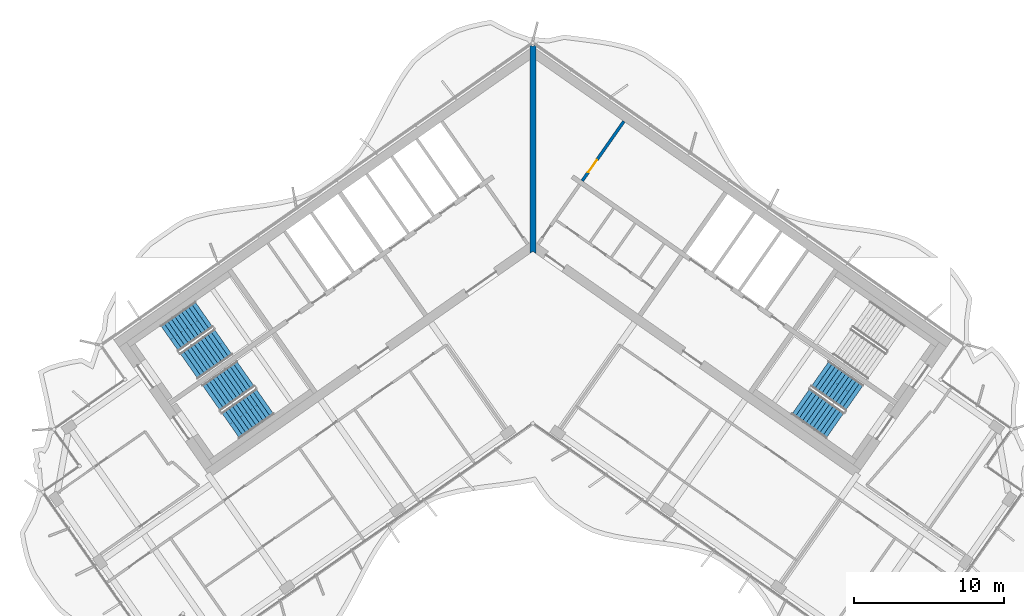
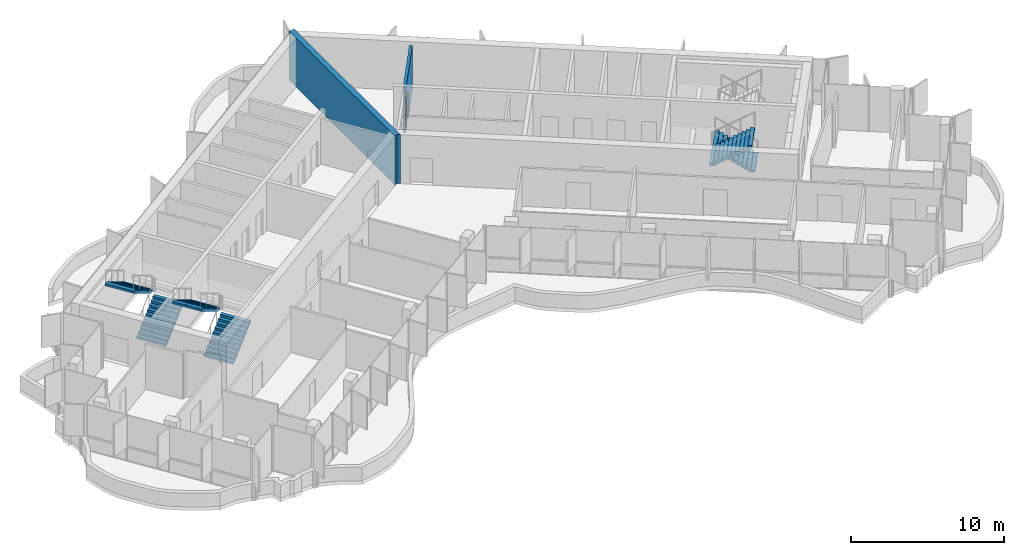
# One storey, part 14 of 20: 6 stair flights, 2 walls, 1 door, 1 opening, 3 elements without a shape of their own.
"""IFC4 building model written with IfcOpenShell, lengths in metres."""

from ifc_helpers import new_model, si_unit, direction, frame, frame_2d, origin, place, context, subcontext, project, spatial, polyline, rectangle, outline, extrude, material, layer, layer_set, type_object, element, fill, aggregate, save


model = new_model("IFC4")

# Units and contexts
model_context = context("Model", 3, precision=1e-05, world=origin(), true_north=direction((0.0, 1.0)))
body_context = subcontext(model_context, "Body", "Model", "MODEL_VIEW")
ifc_project = project(units=[si_unit("LENGTHUNIT", "METRE"), si_unit("AREAUNIT", "SQUARE_METRE"), si_unit("VOLUMEUNIT", "CUBIC_METRE"), si_unit("PLANEANGLEUNIT", "RADIAN"), si_unit("MASSUNIT", "GRAM", prefix="KILO")], contexts=[model_context])

# Site, building, storey
site_placement = place(None, origin())
site = spatial("IfcSite", under=ifc_project, at=site_placement, CompositionType="ELEMENT")
building_placement = place(site_placement, origin())
building = spatial("IfcBuilding", under=site, at=building_placement, Name="Tel Ilan Convention Tower", CompositionType="ELEMENT")
storey_placement = place(building_placement, frame((0.0, 0.0, 229.300048828125)))
storey = spatial("IfcBuildingStorey", under=building, at=storey_placement, Name="L53", CompositionType="ELEMENT", Elevation=229.300048828125)

# Wall, opening, door
ifc_material_1 = material(Name="Concrete C30/37", Category="concrete")
ifc_layer_1 = layer(ifc_material_1, 0.199951171875)
ifc_layer_set_1 = layer_set([ifc_layer_1], Name="Core Service Room Wall 200 mm C30/37")
wall_type_1 = type_object("IfcWallType", Name="Core Service Room Wall 200 mm C30/37", PredefinedType="SOLIDWALL", material=ifc_layer_set_1)
wall_1_placement = place(storey_placement, frame((3.2978515625, 3.489501953125, 0.0), z_axis=(0.0, 0.0, 1.0), x_axis=(0.573560315113, 0.819163332265, 0.0)))
wall_1 = element("IfcWall", 1, at=wall_1_placement, inside=storey, type_object=wall_type_1, Name="L53 core wall apex-E-b", PredefinedType="SOLIDWALL", context=body_context, shape_type="SweptSolid", body=[
    extrude(rectangle(XDim=4.849853515625, YDim=0.199951171875, at=frame_2d((2.4248046875, 0.0))), origin(), (0.0, 0.0, 1.0), 3.619873046875),
])
opening_placement = place(wall_1_placement, frame((0.699951171875, 0.0, 0.0)))
opening = element("IfcOpeningElement", 2, at=opening_placement, cuts=wall_1, Name="Opening CD4203", PredefinedType="OPENING", context=body_context, shape_type="SweptSolid", body=[
    extrude(rectangle(XDim=1.0, YDim=2.10009765625, at=frame_2d((0.5, 1.050048828125))), frame((0.0, 0.10986328125, 0.0), z_axis=(0.0, -1.0, 0.0), x_axis=(1.0, 0.0, 0.0)), (0.0, 0.0, 1.0), 0.219970703125),
])
ifc_material_2 = material(Name="Galvanised Steel Door Leaf", Category="steel")
door_type = type_object("IfcDoorType", Name="Service Room Door 1000 x 2100 FD60", OperationType="NOTDEFINED", PredefinedType="DOOR", material=ifc_material_2)
door_placement = place(opening_placement, origin())
door = element("IfcDoor", 3, at=door_placement, inside=storey, type_object=door_type, Name="Plant Room door", OperationType="SINGLE_SWING_RIGHT", OverallHeight=2.10009765625, OverallWidth=1.0, PredefinedType="DOOR", context=body_context, shape_type="SweptSolid", body=[
    extrude(rectangle(XDim=1.0, YDim=2.10009765625, at=frame_2d((0.5, 1.050048828125))), frame((0.0, 0.02490234375, 0.0), z_axis=(0.0, -1.0, 0.0), x_axis=(1.0, 0.0, 0.0)), (0.0, 0.0, 1.0), 0.050048828125),
])
fill(opening, door)

# Wall
ifc_material_3 = material(Name="Concrete C40/50", Category="concrete")
ifc_layer_2 = layer(ifc_material_3, 0.39990234375)
ifc_layer_set_2 = layer_set([ifc_layer_2], Name="Core Shear Wall 400 mm C40/50")
wall_type_2 = type_object("IfcWallType", Name="Core Shear Wall 400 mm C40/50", PredefinedType="SHEAR", material=ifc_layer_set_2)
wall_2_placement = place(storey_placement, frame((0.0, -1.36083984375, 0.0), z_axis=(0.0, 0.0, 1.0), x_axis=(0.0, 1.0, 0.0)))
element("IfcWall", 4, at=wall_2_placement, inside=storey, type_object=wall_type_2, Name="L53 core wall K-central", PredefinedType="SHEAR", context=body_context, shape_type="SweptSolid", body=[
    extrude(outline(polyline([(0.14013671875, 0.199951171875), (0.0, 0.199951171875), (0.14013671875, 0.0), (0.0, -0.199951171875), (0.14013671875, -0.199951171875), (1.012451171875, -0.199951171875), (12.940185546875, -0.199951171875), (13.812744140625, -0.199951171875), (13.893310546875, -0.199951171875), (13.933349609375, -0.172119140625), (13.812744140625, 0.0), (13.933349609375, 0.172119140625), (13.893310546875, 0.199951171875), (13.812744140625, 0.199951171875), (12.940185546875, 0.199951171875), (1.012451171875, 0.199951171875), (0.14013671875, 0.199951171875)])), origin(), (0.0, 0.0, 1.0), 3.89990234375),
])

# Stair, stair flights
ifc_material_4 = material(Name="Concrete C40/50", Category="concrete")
stair_type = type_object("IfcStairType", Name="Pressurised Exit Stair 22 risers 177 mm", PredefinedType="HALF_TURN_STAIR", material=ifc_material_4)
stair_1_placement = place(storey_placement, origin())
stair_1 = element("IfcStair", 5, at=stair_1_placement, inside=storey, type_object=stair_type, Name="L53 Pressurised Stair S1", PredefinedType="HALF_TURN_STAIR")
ifc_material_5 = material(Name="Precast Concrete C40/50", Category="concrete")
stair_flight_type = type_object("IfcStairFlightType", Name="Concrete Stair Flight 2100 mm 22 risers 177 mm", PredefinedType="STRAIGHT", material=ifc_material_5)
stair_flight_1_placement = place(storey_placement, frame((-22.9619140625, -8.87548828125, 0.0), z_axis=(0.0, 0.0, 1.0), x_axis=(0.819152044289, 0.573576436351, 0.0)))
stair_flight_1 = element("IfcStairFlight", 6, at=stair_flight_1_placement, type_object=stair_flight_type, Name="S1 flight 1", NumberOfRisers=11, NumberOfTreads=10, PredefinedType="STRAIGHT", RiserHeight=0.177272727, TreadLength=0.28, context=body_context, shape_type="SweptSolid", body=[
    extrude(outline(polyline([(0.0, 0.0), (0.0, 0.17724609375), (0.280029296875, 0.17724609375), (0.280029296875, 0.3544921875), (0.56005859375, 0.3544921875), (0.56005859375, 0.53173828125), (0.840087890625, 0.53173828125), (0.840087890625, 0.708984375), (1.1201171875, 0.708984375), (1.1201171875, 0.886474609375), (1.39990234375, 0.886474609375), (1.39990234375, 1.063720703125), (1.679931640625, 1.063720703125), (1.679931640625, 1.240966796875), (1.9599609375, 1.240966796875), (1.9599609375, 1.418212890625), (2.239990234375, 1.418212890625), (2.239990234375, 1.595458984375), (2.52001953125, 1.595458984375), (2.52001953125, 1.772705078125), (2.800048828125, 1.772705078125), (2.800048828125, 1.949951171875), (2.800048828125, 1.59521484375), (0.2802734375, 0.0), (0.0, 0.0)])), frame((0.0, -0.100341796875, 0.0), z_axis=(0.0, -1.0, 0.0), x_axis=(1.0, 0.0, 0.0)), (0.0, 0.0, 1.0), 0.94970703125),
    extrude(outline(polyline([(0.0, 0.0), (0.0, 0.17724609375), (0.280029296875, 0.17724609375), (0.280029296875, 0.3544921875), (0.56005859375, 0.3544921875), (0.56005859375, 0.53173828125), (0.840087890625, 0.53173828125), (0.840087890625, 0.708984375), (1.1201171875, 0.708984375), (1.1201171875, 0.886474609375), (1.39990234375, 0.886474609375), (1.39990234375, 1.063720703125), (1.679931640625, 1.063720703125), (1.679931640625, 1.240966796875), (1.9599609375, 1.240966796875), (1.9599609375, 1.418212890625), (2.239990234375, 1.418212890625), (2.239990234375, 1.595458984375), (2.52001953125, 1.595458984375), (2.52001953125, 1.772705078125), (2.800048828125, 1.772705078125), (2.800048828125, 1.949951171875), (2.800048828125, 1.59521484375), (0.2802734375, 0.0), (0.0, 0.0)])), frame((0.0, -0.000244140625, 0.0), z_axis=(0.0, -1.0, 0.0), x_axis=(1.0, 0.0, 0.0)), (0.0, 0.0, 1.0), 0.099609375),
    extrude(outline(polyline([(0.0, 0.0), (0.0, 0.17724609375), (0.280029296875, 0.17724609375), (0.280029296875, 0.3544921875), (0.56005859375, 0.3544921875), (0.56005859375, 0.53173828125), (0.840087890625, 0.53173828125), (0.840087890625, 0.708984375), (1.1201171875, 0.708984375), (1.1201171875, 0.886474609375), (1.39990234375, 0.886474609375), (1.39990234375, 1.063720703125), (1.679931640625, 1.063720703125), (1.679931640625, 1.240966796875), (1.9599609375, 1.240966796875), (1.9599609375, 1.418212890625), (2.239990234375, 1.418212890625), (2.239990234375, 1.595458984375), (2.52001953125, 1.595458984375), (2.52001953125, 1.772705078125), (2.800048828125, 1.772705078125), (2.800048828125, 1.949951171875), (2.800048828125, 1.59521484375), (0.2802734375, 0.0), (0.0, 0.0)])), frame((0.0, 0.099853515625, 0.0), z_axis=(0.0, -1.0, 0.0), x_axis=(1.0, 0.0, 0.0)), (0.0, 0.0, 1.0), 0.099609375),
    extrude(outline(polyline([(0.0, 0.0), (0.0, 0.17724609375), (0.280029296875, 0.17724609375), (0.280029296875, 0.3544921875), (0.56005859375, 0.3544921875), (0.56005859375, 0.53173828125), (0.840087890625, 0.53173828125), (0.840087890625, 0.708984375), (1.1201171875, 0.708984375), (1.1201171875, 0.886474609375), (1.39990234375, 0.886474609375), (1.39990234375, 1.063720703125), (1.679931640625, 1.063720703125), (1.679931640625, 1.240966796875), (1.9599609375, 1.240966796875), (1.9599609375, 1.418212890625), (2.239990234375, 1.418212890625), (2.239990234375, 1.595458984375), (2.52001953125, 1.595458984375), (2.52001953125, 1.772705078125), (2.800048828125, 1.772705078125), (2.800048828125, 1.949951171875), (2.800048828125, 1.59521484375), (0.2802734375, 0.0), (0.0, 0.0)])), frame((0.0, 1.050048828125, 0.0), z_axis=(0.0, -1.0, 0.0), x_axis=(1.0, 0.0, 0.0)), (0.0, 0.0, 1.0), 0.94970703125),
])
stair_flight_2_placement = place(storey_placement, frame((-21.958740234375, -5.42626953125, 1.949951171875), z_axis=(0.0, 0.0, 1.0), x_axis=(-0.819152044289, -0.573576436351, 0.0)))
stair_flight_2 = element("IfcStairFlight", 7, at=stair_flight_2_placement, type_object=stair_flight_type, Name="S1 flight 2", NumberOfRisers=11, NumberOfTreads=10, PredefinedType="STRAIGHT", RiserHeight=0.177272727, TreadLength=0.28, context=body_context, shape_type="SweptSolid", body=[
    extrude(outline(polyline([(0.0, 0.0), (0.0, 0.17724609375), (0.280029296875, 0.17724609375), (0.280029296875, 0.3544921875), (0.56005859375, 0.3544921875), (0.56005859375, 0.53173828125), (0.840087890625, 0.53173828125), (0.840087890625, 0.708984375), (1.1201171875, 0.708984375), (1.1201171875, 0.886474609375), (1.39990234375, 0.886474609375), (1.39990234375, 1.063720703125), (1.679931640625, 1.063720703125), (1.679931640625, 1.240966796875), (1.9599609375, 1.240966796875), (1.9599609375, 1.418212890625), (2.239990234375, 1.418212890625), (2.239990234375, 1.595458984375), (2.52001953125, 1.595458984375), (2.52001953125, 1.772705078125), (2.800048828125, 1.772705078125), (2.800048828125, 1.949951171875), (2.800048828125, 1.59521484375), (0.2802734375, 0.0), (0.0, 0.0)])), frame((0.0, -0.100341796875, 0.0), z_axis=(0.0, -1.0, 0.0), x_axis=(1.0, 0.0, 0.0)), (0.0, 0.0, 1.0), 0.94970703125),
    extrude(outline(polyline([(0.0, 0.0), (0.0, 0.17724609375), (0.280029296875, 0.17724609375), (0.280029296875, 0.3544921875), (0.56005859375, 0.3544921875), (0.56005859375, 0.53173828125), (0.840087890625, 0.53173828125), (0.840087890625, 0.708984375), (1.1201171875, 0.708984375), (1.1201171875, 0.886474609375), (1.39990234375, 0.886474609375), (1.39990234375, 1.063720703125), (1.679931640625, 1.063720703125), (1.679931640625, 1.240966796875), (1.9599609375, 1.240966796875), (1.9599609375, 1.418212890625), (2.239990234375, 1.418212890625), (2.239990234375, 1.595458984375), (2.52001953125, 1.595458984375), (2.52001953125, 1.772705078125), (2.800048828125, 1.772705078125), (2.800048828125, 1.949951171875), (2.800048828125, 1.59521484375), (0.2802734375, 0.0), (0.0, 0.0)])), frame((0.0, -0.000244140625, 0.0), z_axis=(0.0, -1.0, 0.0), x_axis=(1.0, 0.0, 0.0)), (0.0, 0.0, 1.0), 0.099609375),
    extrude(outline(polyline([(0.0, 0.0), (0.0, 0.17724609375), (0.280029296875, 0.17724609375), (0.280029296875, 0.3544921875), (0.56005859375, 0.3544921875), (0.56005859375, 0.53173828125), (0.840087890625, 0.53173828125), (0.840087890625, 0.708984375), (1.1201171875, 0.708984375), (1.1201171875, 0.886474609375), (1.39990234375, 0.886474609375), (1.39990234375, 1.063720703125), (1.679931640625, 1.063720703125), (1.679931640625, 1.240966796875), (1.9599609375, 1.240966796875), (1.9599609375, 1.418212890625), (2.239990234375, 1.418212890625), (2.239990234375, 1.595458984375), (2.52001953125, 1.595458984375), (2.52001953125, 1.772705078125), (2.800048828125, 1.772705078125), (2.800048828125, 1.949951171875), (2.800048828125, 1.59521484375), (0.2802734375, 0.0), (0.0, 0.0)])), frame((0.0, 0.099853515625, 0.0), z_axis=(0.0, -1.0, 0.0), x_axis=(1.0, 0.0, 0.0)), (0.0, 0.0, 1.0), 0.099609375),
    extrude(outline(polyline([(0.0, 0.0), (0.0, 0.17724609375), (0.280029296875, 0.17724609375), (0.280029296875, 0.3544921875), (0.56005859375, 0.3544921875), (0.56005859375, 0.53173828125), (0.840087890625, 0.53173828125), (0.840087890625, 0.708984375), (1.1201171875, 0.708984375), (1.1201171875, 0.886474609375), (1.39990234375, 0.886474609375), (1.39990234375, 1.063720703125), (1.679931640625, 1.063720703125), (1.679931640625, 1.240966796875), (1.9599609375, 1.240966796875), (1.9599609375, 1.418212890625), (2.239990234375, 1.418212890625), (2.239990234375, 1.595458984375), (2.52001953125, 1.595458984375), (2.52001953125, 1.772705078125), (2.800048828125, 1.772705078125), (2.800048828125, 1.949951171875), (2.800048828125, 1.59521484375), (0.2802734375, 0.0), (0.0, 0.0)])), frame((0.0, 1.050048828125, 0.0), z_axis=(0.0, -1.0, 0.0), x_axis=(1.0, 0.0, 0.0)), (0.0, 0.0, 1.0), 0.94970703125),
])
aggregate(stair_1, [stair_flight_1, stair_flight_2])

stair_2_placement = place(storey_placement, origin())
stair_2 = element("IfcStair", 8, at=stair_2_placement, inside=storey, type_object=stair_type, Name="L53 Pressurised Stair S2", PredefinedType="HALF_TURN_STAIR")
stair_flight_3_placement = place(storey_placement, frame((-20.179931640625, -12.848388671875, 0.0), z_axis=(0.0, 0.0, 1.0), x_axis=(0.819152044289, 0.573576436351, 0.0)))
stair_flight_3 = element("IfcStairFlight", 9, at=stair_flight_3_placement, type_object=stair_flight_type, Name="S2 flight 1", NumberOfRisers=11, NumberOfTreads=10, PredefinedType="STRAIGHT", RiserHeight=0.177272727, TreadLength=0.28, context=body_context, shape_type="SweptSolid", body=[
    extrude(outline(polyline([(0.0, 0.0), (0.0, 0.17724609375), (0.280029296875, 0.17724609375), (0.280029296875, 0.3544921875), (0.56005859375, 0.3544921875), (0.56005859375, 0.53173828125), (0.840087890625, 0.53173828125), (0.840087890625, 0.708984375), (1.1201171875, 0.708984375), (1.1201171875, 0.886474609375), (1.39990234375, 0.886474609375), (1.39990234375, 1.063720703125), (1.679931640625, 1.063720703125), (1.679931640625, 1.240966796875), (1.9599609375, 1.240966796875), (1.9599609375, 1.418212890625), (2.239990234375, 1.418212890625), (2.239990234375, 1.595458984375), (2.52001953125, 1.595458984375), (2.52001953125, 1.772705078125), (2.800048828125, 1.772705078125), (2.800048828125, 1.949951171875), (2.800048828125, 1.59521484375), (0.2802734375, 0.0), (0.0, 0.0)])), frame((0.0, -0.100341796875, 0.0), z_axis=(0.0, -1.0, 0.0), x_axis=(1.0, 0.0, 0.0)), (0.0, 0.0, 1.0), 0.94970703125),
    extrude(outline(polyline([(0.0, 0.0), (0.0, 0.17724609375), (0.280029296875, 0.17724609375), (0.280029296875, 0.3544921875), (0.56005859375, 0.3544921875), (0.56005859375, 0.53173828125), (0.840087890625, 0.53173828125), (0.840087890625, 0.708984375), (1.1201171875, 0.708984375), (1.1201171875, 0.886474609375), (1.39990234375, 0.886474609375), (1.39990234375, 1.063720703125), (1.679931640625, 1.063720703125), (1.679931640625, 1.240966796875), (1.9599609375, 1.240966796875), (1.9599609375, 1.418212890625), (2.239990234375, 1.418212890625), (2.239990234375, 1.595458984375), (2.52001953125, 1.595458984375), (2.52001953125, 1.772705078125), (2.800048828125, 1.772705078125), (2.800048828125, 1.949951171875), (2.800048828125, 1.59521484375), (0.2802734375, 0.0), (0.0, 0.0)])), frame((0.0, -0.000244140625, 0.0), z_axis=(0.0, -1.0, 0.0), x_axis=(1.0, 0.0, 0.0)), (0.0, 0.0, 1.0), 0.099609375),
    extrude(outline(polyline([(0.0, 0.0), (0.0, 0.17724609375), (0.280029296875, 0.17724609375), (0.280029296875, 0.3544921875), (0.56005859375, 0.3544921875), (0.56005859375, 0.53173828125), (0.840087890625, 0.53173828125), (0.840087890625, 0.708984375), (1.1201171875, 0.708984375), (1.1201171875, 0.886474609375), (1.39990234375, 0.886474609375), (1.39990234375, 1.063720703125), (1.679931640625, 1.063720703125), (1.679931640625, 1.240966796875), (1.9599609375, 1.240966796875), (1.9599609375, 1.418212890625), (2.239990234375, 1.418212890625), (2.239990234375, 1.595458984375), (2.52001953125, 1.595458984375), (2.52001953125, 1.772705078125), (2.800048828125, 1.772705078125), (2.800048828125, 1.949951171875), (2.800048828125, 1.59521484375), (0.2802734375, 0.0), (0.0, 0.0)])), frame((0.0, 0.099853515625, 0.0), z_axis=(0.0, -1.0, 0.0), x_axis=(1.0, 0.0, 0.0)), (0.0, 0.0, 1.0), 0.099609375),
    extrude(outline(polyline([(0.0, 0.0), (0.0, 0.17724609375), (0.280029296875, 0.17724609375), (0.280029296875, 0.3544921875), (0.56005859375, 0.3544921875), (0.56005859375, 0.53173828125), (0.840087890625, 0.53173828125), (0.840087890625, 0.708984375), (1.1201171875, 0.708984375), (1.1201171875, 0.886474609375), (1.39990234375, 0.886474609375), (1.39990234375, 1.063720703125), (1.679931640625, 1.063720703125), (1.679931640625, 1.240966796875), (1.9599609375, 1.240966796875), (1.9599609375, 1.418212890625), (2.239990234375, 1.418212890625), (2.239990234375, 1.595458984375), (2.52001953125, 1.595458984375), (2.52001953125, 1.772705078125), (2.800048828125, 1.772705078125), (2.800048828125, 1.949951171875), (2.800048828125, 1.59521484375), (0.2802734375, 0.0), (0.0, 0.0)])), frame((0.0, 1.050048828125, 0.0), z_axis=(0.0, -1.0, 0.0), x_axis=(1.0, 0.0, 0.0)), (0.0, 0.0, 1.0), 0.94970703125),
])
stair_flight_4_placement = place(storey_placement, frame((-19.177001953125, -9.399169921875, 1.949951171875), z_axis=(0.0, 0.0, 1.0), x_axis=(-0.819152044289, -0.573576436351, 0.0)))
stair_flight_4 = element("IfcStairFlight", 10, at=stair_flight_4_placement, type_object=stair_flight_type, Name="S2 flight 2", NumberOfRisers=11, NumberOfTreads=10, PredefinedType="STRAIGHT", RiserHeight=0.177272727, TreadLength=0.28, context=body_context, shape_type="SweptSolid", body=[
    extrude(outline(polyline([(0.0, 0.0), (0.0, 0.17724609375), (0.280029296875, 0.17724609375), (0.280029296875, 0.3544921875), (0.56005859375, 0.3544921875), (0.56005859375, 0.53173828125), (0.840087890625, 0.53173828125), (0.840087890625, 0.708984375), (1.1201171875, 0.708984375), (1.1201171875, 0.886474609375), (1.39990234375, 0.886474609375), (1.39990234375, 1.063720703125), (1.679931640625, 1.063720703125), (1.679931640625, 1.240966796875), (1.9599609375, 1.240966796875), (1.9599609375, 1.418212890625), (2.239990234375, 1.418212890625), (2.239990234375, 1.595458984375), (2.52001953125, 1.595458984375), (2.52001953125, 1.772705078125), (2.800048828125, 1.772705078125), (2.800048828125, 1.949951171875), (2.800048828125, 1.59521484375), (0.2802734375, 0.0), (0.0, 0.0)])), frame((0.0, -0.100341796875, 0.0), z_axis=(0.0, -1.0, 0.0), x_axis=(1.0, 0.0, 0.0)), (0.0, 0.0, 1.0), 0.94970703125),
    extrude(outline(polyline([(0.0, 0.0), (0.0, 0.17724609375), (0.280029296875, 0.17724609375), (0.280029296875, 0.3544921875), (0.56005859375, 0.3544921875), (0.56005859375, 0.53173828125), (0.840087890625, 0.53173828125), (0.840087890625, 0.708984375), (1.1201171875, 0.708984375), (1.1201171875, 0.886474609375), (1.39990234375, 0.886474609375), (1.39990234375, 1.063720703125), (1.679931640625, 1.063720703125), (1.679931640625, 1.240966796875), (1.9599609375, 1.240966796875), (1.9599609375, 1.418212890625), (2.239990234375, 1.418212890625), (2.239990234375, 1.595458984375), (2.52001953125, 1.595458984375), (2.52001953125, 1.772705078125), (2.800048828125, 1.772705078125), (2.800048828125, 1.949951171875), (2.800048828125, 1.59521484375), (0.2802734375, 0.0), (0.0, 0.0)])), frame((0.0, -0.000244140625, 0.0), z_axis=(0.0, -1.0, 0.0), x_axis=(1.0, 0.0, 0.0)), (0.0, 0.0, 1.0), 0.099609375),
    extrude(outline(polyline([(0.0, 0.0), (0.0, 0.17724609375), (0.280029296875, 0.17724609375), (0.280029296875, 0.3544921875), (0.56005859375, 0.3544921875), (0.56005859375, 0.53173828125), (0.840087890625, 0.53173828125), (0.840087890625, 0.708984375), (1.1201171875, 0.708984375), (1.1201171875, 0.886474609375), (1.39990234375, 0.886474609375), (1.39990234375, 1.063720703125), (1.679931640625, 1.063720703125), (1.679931640625, 1.240966796875), (1.9599609375, 1.240966796875), (1.9599609375, 1.418212890625), (2.239990234375, 1.418212890625), (2.239990234375, 1.595458984375), (2.52001953125, 1.595458984375), (2.52001953125, 1.772705078125), (2.800048828125, 1.772705078125), (2.800048828125, 1.949951171875), (2.800048828125, 1.59521484375), (0.2802734375, 0.0), (0.0, 0.0)])), frame((0.0, 0.099853515625, 0.0), z_axis=(0.0, -1.0, 0.0), x_axis=(1.0, 0.0, 0.0)), (0.0, 0.0, 1.0), 0.099609375),
    extrude(outline(polyline([(0.0, 0.0), (0.0, 0.17724609375), (0.280029296875, 0.17724609375), (0.280029296875, 0.3544921875), (0.56005859375, 0.3544921875), (0.56005859375, 0.53173828125), (0.840087890625, 0.53173828125), (0.840087890625, 0.708984375), (1.1201171875, 0.708984375), (1.1201171875, 0.886474609375), (1.39990234375, 0.886474609375), (1.39990234375, 1.063720703125), (1.679931640625, 1.063720703125), (1.679931640625, 1.240966796875), (1.9599609375, 1.240966796875), (1.9599609375, 1.418212890625), (2.239990234375, 1.418212890625), (2.239990234375, 1.595458984375), (2.52001953125, 1.595458984375), (2.52001953125, 1.772705078125), (2.800048828125, 1.772705078125), (2.800048828125, 1.949951171875), (2.800048828125, 1.59521484375), (0.2802734375, 0.0), (0.0, 0.0)])), frame((0.0, 1.050048828125, 0.0), z_axis=(0.0, -1.0, 0.0), x_axis=(1.0, 0.0, 0.0)), (0.0, 0.0, 1.0), 0.94970703125),
])
aggregate(stair_2, [stair_flight_3, stair_flight_4])

stair_3_placement = place(storey_placement, origin())
stair_3 = element("IfcStair", 11, at=stair_3_placement, inside=storey, type_object=stair_type, Name="L53 Pressurised Stair S4", PredefinedType="HALF_TURN_STAIR")
stair_flight_5_placement = place(storey_placement, frame((21.470458984375, -11.00537109375, 0.0), z_axis=(0.0, 0.0, 1.0), x_axis=(-0.819152044289, 0.573576436351, 0.0)))
stair_flight_5 = element("IfcStairFlight", 12, at=stair_flight_5_placement, type_object=stair_flight_type, Name="S4 flight 1", NumberOfRisers=11, NumberOfTreads=10, PredefinedType="STRAIGHT", RiserHeight=0.177272727, TreadLength=0.28, context=body_context, shape_type="SweptSolid", body=[
    extrude(outline(polyline([(0.0, 0.0), (0.0, 0.17724609375), (0.280029296875, 0.17724609375), (0.280029296875, 0.3544921875), (0.56005859375, 0.3544921875), (0.56005859375, 0.53173828125), (0.840087890625, 0.53173828125), (0.840087890625, 0.708984375), (1.1201171875, 0.708984375), (1.1201171875, 0.886474609375), (1.39990234375, 0.886474609375), (1.39990234375, 1.063720703125), (1.679931640625, 1.063720703125), (1.679931640625, 1.240966796875), (1.9599609375, 1.240966796875), (1.9599609375, 1.418212890625), (2.239990234375, 1.418212890625), (2.239990234375, 1.595458984375), (2.52001953125, 1.595458984375), (2.52001953125, 1.772705078125), (2.800048828125, 1.772705078125), (2.800048828125, 1.949951171875), (2.800048828125, 1.59521484375), (0.2802734375, 0.0), (0.0, 0.0)])), frame((0.0, -0.100341796875, 0.0), z_axis=(0.0, -1.0, 0.0), x_axis=(1.0, 0.0, 0.0)), (0.0, 0.0, 1.0), 0.94970703125),
    extrude(outline(polyline([(0.0, 0.0), (0.0, 0.17724609375), (0.280029296875, 0.17724609375), (0.280029296875, 0.3544921875), (0.56005859375, 0.3544921875), (0.56005859375, 0.53173828125), (0.840087890625, 0.53173828125), (0.840087890625, 0.708984375), (1.1201171875, 0.708984375), (1.1201171875, 0.886474609375), (1.39990234375, 0.886474609375), (1.39990234375, 1.063720703125), (1.679931640625, 1.063720703125), (1.679931640625, 1.240966796875), (1.9599609375, 1.240966796875), (1.9599609375, 1.418212890625), (2.239990234375, 1.418212890625), (2.239990234375, 1.595458984375), (2.52001953125, 1.595458984375), (2.52001953125, 1.772705078125), (2.800048828125, 1.772705078125), (2.800048828125, 1.949951171875), (2.800048828125, 1.59521484375), (0.2802734375, 0.0), (0.0, 0.0)])), frame((0.0, -0.000244140625, 0.0), z_axis=(0.0, -1.0, 0.0), x_axis=(1.0, 0.0, 0.0)), (0.0, 0.0, 1.0), 0.099609375),
    extrude(outline(polyline([(0.0, 0.0), (0.0, 0.17724609375), (0.280029296875, 0.17724609375), (0.280029296875, 0.3544921875), (0.56005859375, 0.3544921875), (0.56005859375, 0.53173828125), (0.840087890625, 0.53173828125), (0.840087890625, 0.708984375), (1.1201171875, 0.708984375), (1.1201171875, 0.886474609375), (1.39990234375, 0.886474609375), (1.39990234375, 1.063720703125), (1.679931640625, 1.063720703125), (1.679931640625, 1.240966796875), (1.9599609375, 1.240966796875), (1.9599609375, 1.418212890625), (2.239990234375, 1.418212890625), (2.239990234375, 1.595458984375), (2.52001953125, 1.595458984375), (2.52001953125, 1.772705078125), (2.800048828125, 1.772705078125), (2.800048828125, 1.949951171875), (2.800048828125, 1.59521484375), (0.2802734375, 0.0), (0.0, 0.0)])), frame((0.0, 0.099853515625, 0.0), z_axis=(0.0, -1.0, 0.0), x_axis=(1.0, 0.0, 0.0)), (0.0, 0.0, 1.0), 0.099609375),
    extrude(outline(polyline([(0.0, 0.0), (0.0, 0.17724609375), (0.280029296875, 0.17724609375), (0.280029296875, 0.3544921875), (0.56005859375, 0.3544921875), (0.56005859375, 0.53173828125), (0.840087890625, 0.53173828125), (0.840087890625, 0.708984375), (1.1201171875, 0.708984375), (1.1201171875, 0.886474609375), (1.39990234375, 0.886474609375), (1.39990234375, 1.063720703125), (1.679931640625, 1.063720703125), (1.679931640625, 1.240966796875), (1.9599609375, 1.240966796875), (1.9599609375, 1.418212890625), (2.239990234375, 1.418212890625), (2.239990234375, 1.595458984375), (2.52001953125, 1.595458984375), (2.52001953125, 1.772705078125), (2.800048828125, 1.772705078125), (2.800048828125, 1.949951171875), (2.800048828125, 1.59521484375), (0.2802734375, 0.0), (0.0, 0.0)])), frame((0.0, 1.050048828125, 0.0), z_axis=(0.0, -1.0, 0.0), x_axis=(1.0, 0.0, 0.0)), (0.0, 0.0, 1.0), 0.94970703125),
])
stair_flight_6_placement = place(storey_placement, frame((17.886474609375, -11.242431640625, 1.949951171875), z_axis=(0.0, 0.0, 1.0), x_axis=(0.819152044289, -0.573576436351, 0.0)))
stair_flight_6 = element("IfcStairFlight", 13, at=stair_flight_6_placement, type_object=stair_flight_type, Name="S4 flight 2", NumberOfRisers=11, NumberOfTreads=10, PredefinedType="STRAIGHT", RiserHeight=0.177272727, TreadLength=0.28, context=body_context, shape_type="SweptSolid", body=[
    extrude(outline(polyline([(0.0, 0.0), (0.0, 0.17724609375), (0.280029296875, 0.17724609375), (0.280029296875, 0.3544921875), (0.56005859375, 0.3544921875), (0.56005859375, 0.53173828125), (0.840087890625, 0.53173828125), (0.840087890625, 0.708984375), (1.1201171875, 0.708984375), (1.1201171875, 0.886474609375), (1.39990234375, 0.886474609375), (1.39990234375, 1.063720703125), (1.679931640625, 1.063720703125), (1.679931640625, 1.240966796875), (1.9599609375, 1.240966796875), (1.9599609375, 1.418212890625), (2.239990234375, 1.418212890625), (2.239990234375, 1.595458984375), (2.52001953125, 1.595458984375), (2.52001953125, 1.772705078125), (2.800048828125, 1.772705078125), (2.800048828125, 1.949951171875), (2.800048828125, 1.59521484375), (0.2802734375, 0.0), (0.0, 0.0)])), frame((0.0, -0.100341796875, 0.0), z_axis=(0.0, -1.0, 0.0), x_axis=(1.0, 0.0, 0.0)), (0.0, 0.0, 1.0), 0.94970703125),
    extrude(outline(polyline([(0.0, 0.0), (0.0, 0.17724609375), (0.280029296875, 0.17724609375), (0.280029296875, 0.3544921875), (0.56005859375, 0.3544921875), (0.56005859375, 0.53173828125), (0.840087890625, 0.53173828125), (0.840087890625, 0.708984375), (1.1201171875, 0.708984375), (1.1201171875, 0.886474609375), (1.39990234375, 0.886474609375), (1.39990234375, 1.063720703125), (1.679931640625, 1.063720703125), (1.679931640625, 1.240966796875), (1.9599609375, 1.240966796875), (1.9599609375, 1.418212890625), (2.239990234375, 1.418212890625), (2.239990234375, 1.595458984375), (2.52001953125, 1.595458984375), (2.52001953125, 1.772705078125), (2.800048828125, 1.772705078125), (2.800048828125, 1.949951171875), (2.800048828125, 1.59521484375), (0.2802734375, 0.0), (0.0, 0.0)])), frame((0.0, -0.000244140625, 0.0), z_axis=(0.0, -1.0, 0.0), x_axis=(1.0, 0.0, 0.0)), (0.0, 0.0, 1.0), 0.099609375),
    extrude(outline(polyline([(0.0, 0.0), (0.0, 0.17724609375), (0.280029296875, 0.17724609375), (0.280029296875, 0.3544921875), (0.56005859375, 0.3544921875), (0.56005859375, 0.53173828125), (0.840087890625, 0.53173828125), (0.840087890625, 0.708984375), (1.1201171875, 0.708984375), (1.1201171875, 0.886474609375), (1.39990234375, 0.886474609375), (1.39990234375, 1.063720703125), (1.679931640625, 1.063720703125), (1.679931640625, 1.240966796875), (1.9599609375, 1.240966796875), (1.9599609375, 1.418212890625), (2.239990234375, 1.418212890625), (2.239990234375, 1.595458984375), (2.52001953125, 1.595458984375), (2.52001953125, 1.772705078125), (2.800048828125, 1.772705078125), (2.800048828125, 1.949951171875), (2.800048828125, 1.59521484375), (0.2802734375, 0.0), (0.0, 0.0)])), frame((0.0, 0.099853515625, 0.0), z_axis=(0.0, -1.0, 0.0), x_axis=(1.0, 0.0, 0.0)), (0.0, 0.0, 1.0), 0.099609375),
    extrude(outline(polyline([(0.0, 0.0), (0.0, 0.17724609375), (0.280029296875, 0.17724609375), (0.280029296875, 0.3544921875), (0.56005859375, 0.3544921875), (0.56005859375, 0.53173828125), (0.840087890625, 0.53173828125), (0.840087890625, 0.708984375), (1.1201171875, 0.708984375), (1.1201171875, 0.886474609375), (1.39990234375, 0.886474609375), (1.39990234375, 1.063720703125), (1.679931640625, 1.063720703125), (1.679931640625, 1.240966796875), (1.9599609375, 1.240966796875), (1.9599609375, 1.418212890625), (2.239990234375, 1.418212890625), (2.239990234375, 1.595458984375), (2.52001953125, 1.595458984375), (2.52001953125, 1.772705078125), (2.800048828125, 1.772705078125), (2.800048828125, 1.949951171875), (2.800048828125, 1.59521484375), (0.2802734375, 0.0), (0.0, 0.0)])), frame((0.0, 1.050048828125, 0.0), z_axis=(0.0, -1.0, 0.0), x_axis=(1.0, 0.0, 0.0)), (0.0, 0.0, 1.0), 0.94970703125),
])
aggregate(stair_3, [stair_flight_5, stair_flight_6])

save(model, "model.ifc")
